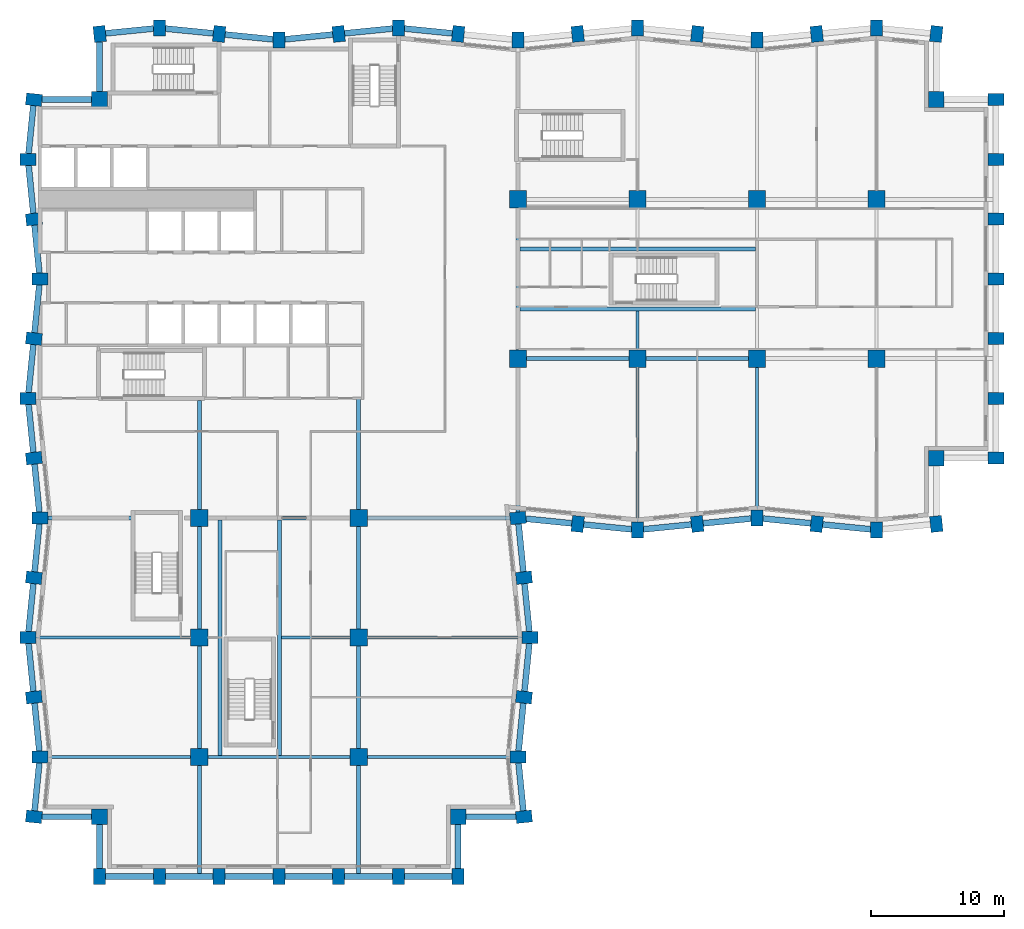
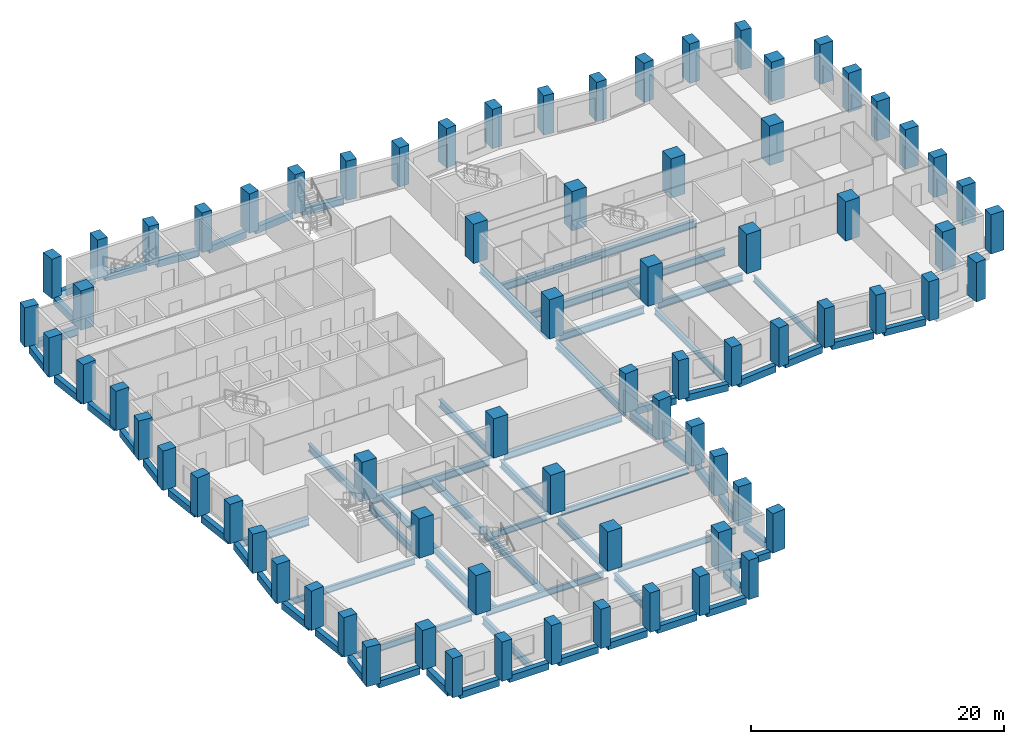
# One storey, part 1 of 11: 74 columns, 69 beams.
"""IFC4 building model written with IfcOpenShell, lengths in metres."""

from ifc_helpers import new_model, si_unit, direction, frame, origin, origin_2d, place, context, subcontext, project, spatial, rectangle, i_section, extrude, material, material_profile, profile_set, type_object, element, save


model = new_model("IFC4")

# Units and contexts
model_context = context("Model", 3, precision=1e-05, world=origin(), true_north=direction((0.0, 1.0)))
body_context = subcontext(model_context, "Body", "Model", "MODEL_VIEW")
ifc_project = project(units=[si_unit("LENGTHUNIT", "METRE"), si_unit("AREAUNIT", "SQUARE_METRE"), si_unit("VOLUMEUNIT", "CUBIC_METRE"), si_unit("PLANEANGLEUNIT", "RADIAN"), si_unit("MASSUNIT", "GRAM", prefix="KILO")], contexts=[model_context])

# Site, building, storey
site_placement = place(None, origin())
site = spatial("IfcSite", under=ifc_project, at=site_placement, CompositionType="ELEMENT")
building_placement = place(site_placement, origin())
building = spatial("IfcBuilding", under=site, at=building_placement, Name="Brondeck Convention Tower", CompositionType="ELEMENT")
storey_placement = place(building_placement, frame((0.0, 0.0, 92.300048828125)))
storey = spatial("IfcBuildingStorey", under=building, at=storey_placement, Name="L21", CompositionType="ELEMENT", Elevation=92.300048828125)

# Columns
ifc_material_1 = material(Name="Concrete C70/85", Category="concrete")
ifc_material_profile_1 = material_profile(ifc_material_1, rectangle(XDim=1.199951171875, YDim=1.199951171875, at=origin_2d()), Name="Corner column 1200x1200 Concrete C70/85")
ifc_profile_set_1 = profile_set([ifc_material_profile_1], Name="Concrete C70/85")
column_type_1 = type_object("IfcColumnType", Name="Corner column 1200x1200 Concrete C70/85", PredefinedType="COLUMN", material=ifc_profile_set_1)
for number, where, z_axis, x_axis, name in (
    (1, (4.5, 4.5, 0.0), (0.0, 0.0, 1.0), (1.0, 0.0, 0.0), "STR-COL-L21-NC-SWB0"),
    (2, (31.5, 4.5, 0.0), (0.0, 0.0, 1.0), (1.0, 0.0, 0.0), "STR-COL-L21-NC-SEB0"),
    (3, (67.5, 31.5, 0.0), (0.0, 0.0, 1.0), (1.0, 0.0, 0.0), "STR-COL-L21-NC-SEA72"),
    (4, (67.5, 58.5, 0.0), (0.0, 0.0, 1.0), (1.0, 0.0, 0.0), "STR-COL-L21-NC-NEA72"),
    (5, (4.5, 58.5, 0.0), (0.0, 0.0, 1.0), (1.0, 0.0, 0.0), "STR-COL-L21-NC-NW"),
):
    element("IfcColumn", number, at=place(storey_placement, frame(where, z_axis=z_axis, x_axis=x_axis)), inside=storey, type_object=column_type_1, Name=name, PredefinedType="COLUMN", context=body_context, shape_type="SweptSolid", body=[
        extrude(rectangle(XDim=1.199951171875, YDim=1.199951171875, at=origin_2d()), origin(), (0.0, 0.0, 1.0), 3.800048828125),
    ])
ifc_material_profile_2 = material_profile(ifc_material_1, rectangle(XDim=1.300048828125, YDim=1.300048828125, at=origin_2d()), Name="Interior column 1300x1300 Concrete C70/85")
ifc_profile_set_2 = profile_set([ifc_material_profile_2], Name="Concrete C70/85")
column_type_2 = type_object("IfcColumnType", Name="Interior column 1300x1300 Concrete C70/85", PredefinedType="COLUMN", material=ifc_profile_set_2)
for number, where, z_axis, x_axis, name in (
    (6, (12.0, 9.0, 0.0), (0.0, 0.0, 1.0), (1.0, 0.0, 0.0), "STR-COL-L21-IC-01"),
    (7, (12.0, 18.0, 0.0), (0.0, 0.0, 1.0), (1.0, 0.0, 0.0), "STR-COL-L21-IC-02"),
    (8, (12.0, 27.0, 0.0), (0.0, 0.0, 1.0), (1.0, 0.0, 0.0), "STR-COL-L21-IC-03"),
    (9, (24.0, 9.0, 0.0), (0.0, 0.0, 1.0), (1.0, 0.0, 0.0), "STR-COL-L21-IC-04"),
    (10, (24.0, 18.0, 0.0), (0.0, 0.0, 1.0), (1.0, 0.0, 0.0), "STR-COL-L21-IC-05"),
    (11, (24.0, 27.0, 0.0), (0.0, 0.0, 1.0), (1.0, 0.0, 0.0), "STR-COL-L21-IC-06"),
    (12, (36.0, 39.0, 0.0), (0.0, 0.0, 1.0), (1.0, 0.0, 0.0), "STR-COL-L21-IC-07"),
    (13, (36.0, 51.0, 0.0), (0.0, 0.0, 1.0), (1.0, 0.0, 0.0), "STR-COL-L21-IC-08"),
    (14, (45.0, 39.0, 0.0), (0.0, 0.0, 1.0), (1.0, 0.0, 0.0), "STR-COL-L21-IC-09"),
    (15, (45.0, 51.0, 0.0), (0.0, 0.0, 1.0), (1.0, 0.0, 0.0), "STR-COL-L21-IC-10"),
    (16, (54.0, 39.0, 0.0), (0.0, 0.0, 1.0), (1.0, 0.0, 0.0), "STR-COL-L21-IC-11"),
    (17, (54.0, 51.0, 0.0), (0.0, 0.0, 1.0), (1.0, 0.0, 0.0), "STR-COL-L21-IC-12"),
    (18, (63.0, 39.0, 0.0), (0.0, 0.0, 1.0), (1.0, 0.0, 0.0), "STR-COL-L21-IC-13"),
    (19, (63.0, 51.0, 0.0), (0.0, 0.0, 1.0), (1.0, 0.0, 0.0), "STR-COL-L21-IC-14"),
):
    element("IfcColumn", number, at=place(storey_placement, frame(where, z_axis=z_axis, x_axis=x_axis)), inside=storey, type_object=column_type_2, Name=name, PredefinedType="COLUMN", context=body_context, shape_type="SweptSolid", body=[
        extrude(rectangle(XDim=1.300048828125, YDim=1.300048828125, at=origin_2d()), origin(), (0.0, 0.0, 1.0), 3.800048828125),
    ])
ifc_material_profile_3 = material_profile(ifc_material_1, rectangle(XDim=0.89990234375, YDim=1.199951171875, at=origin_2d()), Name="Perimeter pier 900x1200 Concrete C70/85")
ifc_profile_set_3 = profile_set([ifc_material_profile_3], Name="Concrete C70/85")
column_type_3 = type_object("IfcColumnType", Name="Perimeter pier 900x1200 Concrete C70/85", PredefinedType="COLUMN", material=ifc_profile_set_3)
for number, where, z_axis, x_axis, name in (
    (20, (4.5, 0.0, 0.0), (0.0, 0.0, 1.0), (1.0, 0.0, 0.0), "STR-COL-L21-PC-B-S0-01"),
    (21, (9.0, 0.0, 0.0), (0.0, 0.0, 1.0), (1.0, 0.0, 0.0), "STR-COL-L21-PC-B-S0-02"),
    (22, (13.5, 0.0, 0.0), (0.0, 0.0, 1.0), (1.0, 0.0, 0.0), "STR-COL-L21-PC-B-S0-03"),
    (23, (18.0, 0.0, 0.0), (0.0, 0.0, 1.0), (1.0, 0.0, 0.0), "STR-COL-L21-PC-B-S0-04"),
    (24, (22.5, 0.0, 0.0), (0.0, 0.0, 1.0), (1.0, 0.0, 0.0), "STR-COL-L21-PC-B-S0-05"),
    (25, (27.0, 0.0, 0.0), (0.0, 0.0, 1.0), (1.0, 0.0, 0.0), "STR-COL-L21-PC-B-S0-06"),
    (26, (31.5, 0.0, 0.0), (0.0, 0.0, 1.0), (1.0, 0.0, 0.0), "STR-COL-L21-PC-B-S0-07"),
    (27, (36.449951171875, 4.5, 0.0), (0.0, 0.0, 1.0), (-0.0995038382, 0.995037178292, 0.0), "STR-COL-L21-PC-B-E-05"),
    (28, (36.0, 9.0, 0.0), (0.0, 0.0, 1.0), (0.0, 1.0, 0.0), "STR-COL-L21-PC-B-E-04"),
    (29, (36.449951171875, 13.5, 0.0), (0.0, 0.0, 1.0), (0.0995038382, 0.995037178292, 0.0), "STR-COL-L21-PC-B-E-03"),
    (30, (36.89990234375, 18.0, 0.0), (0.0, 0.0, 1.0), (0.0, 1.0, 0.0), "STR-COL-L21-PC-B-E-02"),
    (31, (36.449951171875, 22.5, 0.0), (0.0, 0.0, 1.0), (-0.0995038382, 0.995037178292, 0.0), "STR-COL-L21-PC-B-E-01"),
    (32, (36.0, 27.0, 0.0), (0.0, 0.0, 1.0), (-0.0995038382, 0.995037178292, 0.0), "STR-COL-L21-PC-B-E-00"),
    (33, (40.5, 26.550048828125, 0.0), (0.0, 0.0, 1.0), (0.995037178292, -0.0995038382, 0.0), "STR-COL-L21-PC-A-S-01"),
    (34, (45.0, 26.10009765625, 0.0), (0.0, 0.0, 1.0), (1.0, 0.0, 0.0), "STR-COL-L21-PC-A-S-02"),
    (35, (49.5, 26.550048828125, 0.0), (0.0, 0.0, 1.0), (0.995037178292, 0.0995038382, 0.0), "STR-COL-L21-PC-A-S-03"),
    (36, (54.0, 27.0, 0.0), (0.0, 0.0, 1.0), (1.0, 0.0, 0.0), "STR-COL-L21-PC-A-S-04"),
    (37, (58.5, 26.550048828125, 0.0), (0.0, 0.0, 1.0), (0.995037178292, -0.0995038382, 0.0), "STR-COL-L21-PC-A-S-05"),
    (38, (63.0, 26.10009765625, 0.0), (0.0, 0.0, 1.0), (1.0, 0.0, 0.0), "STR-COL-L21-PC-A-S-06"),
    (39, (67.5, 26.550048828125, 0.0), (0.0, 0.0, 1.0), (0.995037178292, 0.0995038382, 0.0), "STR-COL-L21-PC-A-S-07"),
    (40, (72.0, 31.5, 0.0), (0.0, 0.0, 1.0), (0.0, 1.0, 0.0), "STR-COL-L21-PC-A-E72-01"),
    (41, (72.0, 36.0, 0.0), (0.0, 0.0, 1.0), (0.0, 1.0, 0.0), "STR-COL-L21-PC-A-E72-02"),
    (42, (72.0, 40.5, 0.0), (0.0, 0.0, 1.0), (0.0, 1.0, 0.0), "STR-COL-L21-PC-A-E72-03"),
    (43, (72.0, 45.0, 0.0), (0.0, 0.0, 1.0), (0.0, 1.0, 0.0), "STR-COL-L21-PC-A-E72-04"),
    (44, (72.0, 49.5, 0.0), (0.0, 0.0, 1.0), (0.0, 1.0, 0.0), "STR-COL-L21-PC-A-E72-05"),
    (45, (72.0, 54.0, 0.0), (0.0, 0.0, 1.0), (0.0, 1.0, 0.0), "STR-COL-L21-PC-A-E72-06"),
    (46, (72.0, 58.5, 0.0), (0.0, 0.0, 1.0), (0.0, 1.0, 0.0), "STR-COL-L21-PC-A-E72-07"),
    (47, (67.5, 63.449951171875, 0.0), (0.0, 0.0, 1.0), (-0.995037178292, 0.0995038382, 0.0), "STR-COL-L21-PC-A-N-15"),
    (48, (63.0, 63.89990234375, 0.0), (0.0, 0.0, 1.0), (-1.0, 0.0, 0.0), "STR-COL-L21-PC-A-N-14"),
    (49, (58.5, 63.449951171875, 0.0), (0.0, 0.0, 1.0), (-0.995037178292, -0.0995038382, 0.0), "STR-COL-L21-PC-A-N-13"),
    (50, (54.0, 63.0, 0.0), (0.0, 0.0, 1.0), (-1.0, 0.0, 0.0), "STR-COL-L21-PC-A-N-12"),
    (51, (49.5, 63.449951171875, 0.0), (0.0, 0.0, 1.0), (-0.995037178292, 0.0995038382, 0.0), "STR-COL-L21-PC-A-N-11"),
    (52, (45.0, 63.89990234375, 0.0), (0.0, 0.0, 1.0), (-1.0, 0.0, 0.0), "STR-COL-L21-PC-A-N-10"),
    (53, (40.5, 63.449951171875, 0.0), (0.0, 0.0, 1.0), (-0.995037178292, -0.0995038382, 0.0), "STR-COL-L21-PC-A-N-09"),
    (54, (36.0, 63.0, 0.0), (0.0, 0.0, 1.0), (-1.0, 0.0, 0.0), "STR-COL-L21-PC-A-N-08"),
    (55, (31.5, 63.449951171875, 0.0), (0.0, 0.0, 1.0), (-0.995037178292, 0.0995038382, 0.0), "STR-COL-L21-PC-A-N-07"),
    (56, (27.0, 63.89990234375, 0.0), (0.0, 0.0, 1.0), (-1.0, 0.0, 0.0), "STR-COL-L21-PC-A-N-06"),
    (57, (22.5, 63.449951171875, 0.0), (0.0, 0.0, 1.0), (-0.995037178292, -0.0995038382, 0.0), "STR-COL-L21-PC-A-N-05"),
    (58, (18.0, 63.0, 0.0), (0.0, 0.0, 1.0), (-1.0, 0.0, 0.0), "STR-COL-L21-PC-A-N-04"),
    (59, (13.5, 63.449951171875, 0.0), (0.0, 0.0, 1.0), (-0.995037178292, 0.0995038382, 0.0), "STR-COL-L21-PC-A-N-03"),
    (60, (9.0, 63.89990234375, 0.0), (0.0, 0.0, 1.0), (-1.0, 0.0, 0.0), "STR-COL-L21-PC-A-N-02"),
    (61, (4.5, 63.449951171875, 0.0), (0.0, 0.0, 1.0), (-0.995037178292, -0.0995038382, 0.0), "STR-COL-L21-PC-A-N-01"),
    (62, (-0.449951171875, 58.5, 0.0), (0.0, 0.0, 1.0), (-0.0995038382, -0.995037178292, 0.0), "STR-COL-L21-PC-B-W-01"),
    (63, (-0.89990234375, 54.0, 0.0), (0.0, 0.0, 1.0), (0.0, -1.0, 0.0), "STR-COL-L21-PC-B-W-02"),
    (64, (-0.449951171875, 49.5, 0.0), (0.0, 0.0, 1.0), (0.0995038382, -0.995037178292, 0.0), "STR-COL-L21-PC-B-W-03"),
    (65, (0.0, 45.0, 0.0), (0.0, 0.0, 1.0), (0.0, -1.0, 0.0), "STR-COL-L21-PC-B-W-04"),
    (66, (-0.449951171875, 40.5, 0.0), (0.0, 0.0, 1.0), (-0.0995038382, -0.995037178292, 0.0), "STR-COL-L21-PC-B-W-05"),
    (67, (-0.89990234375, 36.0, 0.0), (0.0, 0.0, 1.0), (0.0, -1.0, 0.0), "STR-COL-L21-PC-B-W-06"),
    (68, (-0.449951171875, 31.5, 0.0), (0.0, 0.0, 1.0), (0.0995038382, -0.995037178292, 0.0), "STR-COL-L21-PC-B-W-07"),
    (69, (0.0, 27.0, 0.0), (0.0, 0.0, 1.0), (0.0, -1.0, 0.0), "STR-COL-L21-PC-B-W-08"),
    (70, (-0.449951171875, 22.5, 0.0), (0.0, 0.0, 1.0), (-0.0995038382, -0.995037178292, 0.0), "STR-COL-L21-PC-B-W-09"),
    (71, (-0.89990234375, 18.0, 0.0), (0.0, 0.0, 1.0), (0.0, -1.0, 0.0), "STR-COL-L21-PC-B-W-10"),
    (72, (-0.449951171875, 13.5, 0.0), (0.0, 0.0, 1.0), (0.0995038382, -0.995037178292, 0.0), "STR-COL-L21-PC-B-W-11"),
    (73, (0.0, 9.0, 0.0), (0.0, 0.0, 1.0), (0.0, -1.0, 0.0), "STR-COL-L21-PC-B-W-12"),
    (74, (-0.449951171875, 4.5, 0.0), (0.0, 0.0, 1.0), (-0.0995038382, -0.995037178292, 0.0), "STR-COL-L21-PC-B-W-13"),
):
    element("IfcColumn", number, at=place(storey_placement, frame(where, z_axis=z_axis, x_axis=x_axis)), inside=storey, type_object=column_type_3, Name=name, PredefinedType="COLUMN", context=body_context, shape_type="SweptSolid", body=[
        extrude(rectangle(XDim=0.89990234375, YDim=1.199951171875, at=origin_2d()), origin(), (0.0, 0.0, 1.0), 3.800048828125),
    ])

# Beams
ifc_material_2 = material(Name="Steel S355", Category="steel")
ifc_material_profile_4 = material_profile(ifc_material_2, i_section(OverallWidth=0.219970703125, OverallDepth=0.60009765625, WebThickness=0.011962890625, FlangeThickness=0.01904296875, FilletRadius=0.02392578125, at=origin_2d()), Name="IPE 600")
ifc_profile_set_4 = profile_set([ifc_material_profile_4], Name="Steel S355")
beam_type_1 = type_object("IfcBeamType", Name="Floor beam IPE 600", PredefinedType="BEAM", material=ifc_profile_set_4)
beam_1_placement = place(storey_placement, frame((45.0, 26.699951171875, -0.60009765625), z_axis=(0.0, 1.0, 0.0), x_axis=(-1.0, 0.0, 0.0)))
element("IfcBeam", 75, at=beam_1_placement, inside=storey, type_object=beam_type_1, Name="STR-FB-L21-001", PredefinedType="BEAM", context=body_context, shape_type="SweptSolid", body=[
    extrude(i_section(OverallWidth=0.219970703125, OverallDepth=0.60009765625, WebThickness=0.011962890625, FlangeThickness=0.01904296875, FilletRadius=0.02392578125, at=origin_2d()), origin(), (0.0, 0.0, 1.0), 11.650146484375),
])
for number, where, z_axis, x_axis, name in (
    (76, (54.0, 27.60009765625, -0.60009765625), (0.0, 1.0, 0.0), (-1.0, 0.0, 0.0), "STR-FB-L21-003"),
    (77, (0.60009765625, 9.0, -0.60009765625), (1.0, 0.0, 0.0), (0.0, 1.0, 0.0), "STR-FB-L21-009"),
):
    element("IfcBeam", number, at=place(storey_placement, frame(where, z_axis=z_axis, x_axis=x_axis)), inside=storey, type_object=beam_type_1, Name=name, PredefinedType="BEAM", context=body_context, shape_type="SweptSolid", body=[
        extrude(i_section(OverallWidth=0.219970703125, OverallDepth=0.60009765625, WebThickness=0.011962890625, FlangeThickness=0.01904296875, FilletRadius=0.02392578125, at=origin_2d()), origin(), (0.0, 0.0, 1.0), 10.75),
    ])
beam_2_placement = place(storey_placement, frame((12.64990234375, 9.0, -0.60009765625), z_axis=(1.0, 0.0, 0.0), x_axis=(0.0, 1.0, 0.0)))
element("IfcBeam", 78, at=beam_2_placement, inside=storey, type_object=beam_type_1, Name="STR-FB-L21-010", PredefinedType="BEAM", context=body_context, shape_type="SweptSolid", body=[
    extrude(i_section(OverallWidth=0.219970703125, OverallDepth=0.60009765625, WebThickness=0.011962890625, FlangeThickness=0.01904296875, FilletRadius=0.02392578125, at=origin_2d()), origin(), (0.0, 0.0, 1.0), 10.7001953125),
])
beam_3_placement = place(storey_placement, frame((24.64990234375, 9.0, -0.60009765625), z_axis=(1.0, 0.0, 0.0), x_axis=(0.0, 1.0, 0.0)))
element("IfcBeam", 79, at=beam_3_placement, inside=storey, type_object=beam_type_1, Name="STR-FB-L21-011", PredefinedType="BEAM", context=body_context, shape_type="SweptSolid", body=[
    extrude(i_section(OverallWidth=0.219970703125, OverallDepth=0.60009765625, WebThickness=0.011962890625, FlangeThickness=0.01904296875, FilletRadius=0.02392578125, at=origin_2d()), origin(), (0.0, 0.0, 1.0), 10.75),
])
for number, where, z_axis, x_axis, name in (
    (80, (-0.300048828125, 18.0, -0.60009765625), (1.0, 0.0, 0.0), (0.0, 1.0, 0.0), "STR-FB-L21-012"),
    (81, (24.64990234375, 18.0, -0.60009765625), (1.0, 0.0, 0.0), (0.0, 1.0, 0.0), "STR-FB-L21-013"),
):
    element("IfcBeam", number, at=place(storey_placement, frame(where, z_axis=z_axis, x_axis=x_axis)), inside=storey, type_object=beam_type_1, Name=name, PredefinedType="BEAM", context=body_context, shape_type="SweptSolid", body=[
        extrude(i_section(OverallWidth=0.219970703125, OverallDepth=0.60009765625, WebThickness=0.011962890625, FlangeThickness=0.01904296875, FilletRadius=0.02392578125, at=origin_2d()), origin(), (0.0, 0.0, 1.0), 11.650146484375),
    ])
beam_4_placement = place(storey_placement, frame((45.0, 39.64990234375, -0.60009765625), z_axis=(0.0, 1.0, 0.0), x_axis=(-1.0, 0.0, 0.0)))
element("IfcBeam", 82, at=beam_4_placement, inside=storey, type_object=beam_type_1, Name="STR-FB-L21-014", PredefinedType="BEAM", context=body_context, shape_type="SweptSolid", body=[
    extrude(i_section(OverallWidth=0.219970703125, OverallDepth=0.60009765625, WebThickness=0.011962890625, FlangeThickness=0.01904296875, FilletRadius=0.02392578125, at=origin_2d()), origin(), (0.0, 0.0, 1.0), 2.9501953125),
])
beam_5_placement = place(storey_placement, frame((18.199951171875, 18.0, -0.60009765625), z_axis=(1.0, 0.0, 0.0), x_axis=(0.0, 1.0, 0.0)))
element("IfcBeam", 83, at=beam_5_placement, inside=storey, type_object=beam_type_1, Name="STR-FB-L21-016", PredefinedType="BEAM", context=body_context, shape_type="SweptSolid", body=[
    extrude(i_section(OverallWidth=0.219970703125, OverallDepth=0.60009765625, WebThickness=0.011962890625, FlangeThickness=0.01904296875, FilletRadius=0.02392578125, at=origin_2d()), origin(), (0.0, 0.0, 1.0), 5.150146484375),
])
ifc_material_profile_5 = material_profile(ifc_material_2, i_section(OverallWidth=0.300048828125, OverallDepth=0.699951171875, WebThickness=0.01708984375, FlangeThickness=0.031982421875, FilletRadius=0.027099609375, at=origin_2d()), Name="HEB 700")
ifc_profile_set_5 = profile_set([ifc_material_profile_5], Name="Steel S355")
beam_type_2 = type_object("IfcBeamType", Name="Girder HEB 700", PredefinedType="BEAM", material=ifc_profile_set_5)
for number, where, z_axis, x_axis, name in (
    (84, (36.64990234375, 39.0, -0.650146484375), (1.0, 0.0, 0.0), (0.0, 1.0, 0.0), "STR-GR-L21-001"),
    (85, (45.64990234375, 39.0, -0.650146484375), (1.0, 0.0, 0.0), (0.0, 1.0, 0.0), "STR-GR-L21-002"),
):
    element("IfcBeam", number, at=place(storey_placement, frame(where, z_axis=z_axis, x_axis=x_axis)), inside=storey, type_object=beam_type_2, Name=name, PredefinedType="BEAM", context=body_context, shape_type="SweptSolid", body=[
        extrude(i_section(OverallWidth=0.300048828125, OverallDepth=0.699951171875, WebThickness=0.01708984375, FlangeThickness=0.031982421875, FilletRadius=0.027099609375, at=origin_2d()), origin(), (0.0, 0.0, 1.0), 7.7001953125),
    ])
beam_6_placement = place(storey_placement, frame((36.0, 27.4521484375, -0.650146484375), z_axis=(0.0, 1.0, 0.0), x_axis=(-1.0, 0.0, 0.0)))
element("IfcBeam", 86, at=beam_6_placement, inside=storey, type_object=beam_type_2, Name="STR-GR-L21-009", PredefinedType="BEAM", context=body_context, shape_type="SweptSolid", body=[
    extrude(i_section(OverallWidth=0.300048828125, OverallDepth=0.699951171875, WebThickness=0.01708984375, FlangeThickness=0.031982421875, FilletRadius=0.027099609375, at=origin_2d()), origin(), (0.0, 0.0, 1.0), 10.89794921875),
])
beam_7_placement = place(storey_placement, frame((36.0, 39.64990234375, -0.650146484375), z_axis=(0.0, 1.0, 0.0), x_axis=(-1.0, 0.0, 0.0)))
element("IfcBeam", 87, at=beam_7_placement, inside=storey, type_object=beam_type_2, Name="STR-GR-L21-010", PredefinedType="BEAM", context=body_context, shape_type="SweptSolid", body=[
    extrude(i_section(OverallWidth=0.300048828125, OverallDepth=0.699951171875, WebThickness=0.01708984375, FlangeThickness=0.031982421875, FilletRadius=0.027099609375, at=origin_2d()), origin(), (0.0, 0.0, 1.0), 10.7001953125),
])
beam_8_placement = place(storey_placement, frame((12.0, 35.85009765625, -0.650146484375), z_axis=(0.0, -1.0, 0.0), x_axis=(1.0, 0.0, 0.0)))
element("IfcBeam", 88, at=beam_8_placement, inside=storey, type_object=beam_type_2, Name="STR-GR-L21-013", PredefinedType="BEAM", context=body_context, shape_type="SweptSolid", body=[
    extrude(i_section(OverallWidth=0.300048828125, OverallDepth=0.699951171875, WebThickness=0.01708984375, FlangeThickness=0.031982421875, FilletRadius=0.027099609375, at=origin_2d()), origin(), (0.0, 0.0, 1.0), 8.2001953125),
])
for number, where, z_axis, x_axis, name in (
    (89, (12.0, 26.35009765625, -0.650146484375), (0.0, -1.0, 0.0), (1.0, 0.0, 0.0), "STR-GR-L21-014"),
    (90, (12.0, 17.35009765625, -0.650146484375), (0.0, -1.0, 0.0), (1.0, 0.0, 0.0), "STR-GR-L21-015"),
):
    element("IfcBeam", number, at=place(storey_placement, frame(where, z_axis=z_axis, x_axis=x_axis)), inside=storey, type_object=beam_type_2, Name=name, PredefinedType="BEAM", context=body_context, shape_type="SweptSolid", body=[
        extrude(i_section(OverallWidth=0.300048828125, OverallDepth=0.699951171875, WebThickness=0.01708984375, FlangeThickness=0.031982421875, FilletRadius=0.027099609375, at=origin_2d()), origin(), (0.0, 0.0, 1.0), 7.7001953125),
    ])
beam_9_placement = place(storey_placement, frame((12.0, 8.35009765625, -0.650146484375), z_axis=(0.0, -1.0, 0.0), x_axis=(1.0, 0.0, 0.0)))
element("IfcBeam", 91, at=beam_9_placement, inside=storey, type_object=beam_type_2, Name="STR-GR-L21-016", PredefinedType="BEAM", context=body_context, shape_type="SweptSolid", body=[
    extrude(i_section(OverallWidth=0.300048828125, OverallDepth=0.699951171875, WebThickness=0.01708984375, FlangeThickness=0.031982421875, FilletRadius=0.027099609375, at=origin_2d()), origin(), (0.0, 0.0, 1.0), 8.125),
])
beam_10_placement = place(storey_placement, frame((24.0, 35.955078125, -0.650146484375), z_axis=(0.0, -1.0, 0.0), x_axis=(1.0, 0.0, 0.0)))
element("IfcBeam", 92, at=beam_10_placement, inside=storey, type_object=beam_type_2, Name="STR-GR-L21-017", PredefinedType="BEAM", context=body_context, shape_type="SweptSolid", body=[
    extrude(i_section(OverallWidth=0.300048828125, OverallDepth=0.699951171875, WebThickness=0.01708984375, FlangeThickness=0.031982421875, FilletRadius=0.027099609375, at=origin_2d()), origin(), (0.0, 0.0, 1.0), 8.30517578125),
])
for number, where, z_axis, x_axis, name in (
    (93, (24.0, 26.35009765625, -0.650146484375), (0.0, -1.0, 0.0), (1.0, 0.0, 0.0), "STR-GR-L21-018"),
    (94, (24.0, 17.35009765625, -0.650146484375), (0.0, -1.0, 0.0), (1.0, 0.0, 0.0), "STR-GR-L21-019"),
):
    element("IfcBeam", number, at=place(storey_placement, frame(where, z_axis=z_axis, x_axis=x_axis)), inside=storey, type_object=beam_type_2, Name=name, PredefinedType="BEAM", context=body_context, shape_type="SweptSolid", body=[
        extrude(i_section(OverallWidth=0.300048828125, OverallDepth=0.699951171875, WebThickness=0.01708984375, FlangeThickness=0.031982421875, FilletRadius=0.027099609375, at=origin_2d()), origin(), (0.0, 0.0, 1.0), 7.7001953125),
    ])
beam_11_placement = place(storey_placement, frame((24.0, 8.35009765625, -0.650146484375), z_axis=(0.0, -1.0, 0.0), x_axis=(1.0, 0.0, 0.0)))
element("IfcBeam", 95, at=beam_11_placement, inside=storey, type_object=beam_type_2, Name="STR-GR-L21-020", PredefinedType="BEAM", context=body_context, shape_type="SweptSolid", body=[
    extrude(i_section(OverallWidth=0.300048828125, OverallDepth=0.699951171875, WebThickness=0.01708984375, FlangeThickness=0.031982421875, FilletRadius=0.027099609375, at=origin_2d()), origin(), (0.0, 0.0, 1.0), 8.125),
])
beam_12_placement = place(storey_placement, frame((0.60009765625, 27.0, -0.650146484375), z_axis=(1.0, 0.0, 0.0), x_axis=(0.0, 1.0, 0.0)))
element("IfcBeam", 96, at=beam_12_placement, inside=storey, type_object=beam_type_2, Name="STR-GR-L21-021", PredefinedType="BEAM", context=body_context, shape_type="SweptSolid", body=[
    extrude(i_section(OverallWidth=0.300048828125, OverallDepth=0.699951171875, WebThickness=0.01708984375, FlangeThickness=0.031982421875, FilletRadius=0.027099609375, at=origin_2d()), origin(), (0.0, 0.0, 1.0), 6.27978515625),
])
beam_13_placement = place(storey_placement, frame((12.64990234375, 27.0, -0.650146484375), z_axis=(1.0, 0.0, 0.0), x_axis=(0.0, 1.0, 0.0)))
element("IfcBeam", 97, at=beam_13_placement, inside=storey, type_object=beam_type_2, Name="STR-GR-L21-022", PredefinedType="BEAM", context=body_context, shape_type="SweptSolid", body=[
    extrude(i_section(OverallWidth=0.300048828125, OverallDepth=0.699951171875, WebThickness=0.01708984375, FlangeThickness=0.031982421875, FilletRadius=0.027099609375, at=origin_2d()), origin(), (0.0, 0.0, 1.0), 10.7001953125),
])
beam_14_placement = place(storey_placement, frame((24.64990234375, 27.0, -0.650146484375), z_axis=(1.0, 0.0, 0.0), x_axis=(0.0, 1.0, 0.0)))
element("IfcBeam", 98, at=beam_14_placement, inside=storey, type_object=beam_type_2, Name="STR-GR-L21-023", PredefinedType="BEAM", context=body_context, shape_type="SweptSolid", body=[
    extrude(i_section(OverallWidth=0.300048828125, OverallDepth=0.699951171875, WebThickness=0.01708984375, FlangeThickness=0.031982421875, FilletRadius=0.027099609375, at=origin_2d()), origin(), (0.0, 0.0, 1.0), 10.7470703125),
])
for number, where, z_axis, x_axis, name in (
    (99, (36.14990234375, 42.75, -0.650146484375), (1.0, 0.0, 0.0), (0.0, 1.0, 0.0), "STR-GR-L21-024"),
    (100, (36.14990234375, 47.25, -0.650146484375), (1.0, 0.0, 0.0), (0.0, 1.0, 0.0), "STR-GR-L21-025"),
    (101, (13.550048828125, 9.110107421875, -0.650146484375), (0.0, 1.0, 0.0), (-1.0, 0.0, 0.0), "STR-GR-L21-026"),
    (102, (18.050048828125, 9.110107421875, -0.650146484375), (0.0, 1.0, 0.0), (-1.0, 0.0, 0.0), "STR-GR-L21-027"),
):
    element("IfcBeam", number, at=place(storey_placement, frame(where, z_axis=z_axis, x_axis=x_axis)), inside=storey, type_object=beam_type_2, Name=name, PredefinedType="BEAM", context=body_context, shape_type="SweptSolid", body=[
        extrude(i_section(OverallWidth=0.300048828125, OverallDepth=0.699951171875, WebThickness=0.01708984375, FlangeThickness=0.031982421875, FilletRadius=0.027099609375, at=origin_2d()), origin(), (0.0, 0.0, 1.0), 17.739990234375),
    ])
ifc_material_profile_6 = material_profile(ifc_material_1, rectangle(XDim=0.449951171875, YDim=0.64990234375, at=origin_2d()), Name="Precast spandrel 450x650 Concrete C70/85")
ifc_profile_set_6 = profile_set([ifc_material_profile_6], Name="Concrete C70/85")
beam_type_3 = type_object("IfcBeamType", Name="Precast spandrel 450x650 Concrete C70/85", PredefinedType="SPANDREL", material=ifc_profile_set_6)
for number, where, z_axis, x_axis, name in (
    (103, (4.949951171875, 0.0, -0.324951171875), (1.0, 0.0, 0.0), (0.0, 1.0, 0.0), "STR-SP-L21-001"),
    (104, (9.449951171875, 0.0, -0.324951171875), (1.0, 0.0, 0.0), (0.0, 1.0, 0.0), "STR-SP-L21-002"),
    (105, (13.949951171875, 0.0, -0.324951171875), (1.0, 0.0, 0.0), (0.0, 1.0, 0.0), "STR-SP-L21-003"),
    (106, (18.449951171875, 0.0, -0.324951171875), (1.0, 0.0, 0.0), (0.0, 1.0, 0.0), "STR-SP-L21-004"),
    (107, (22.949951171875, 0.0, -0.324951171875), (1.0, 0.0, 0.0), (0.0, 1.0, 0.0), "STR-SP-L21-005"),
    (108, (27.449951171875, 0.0, -0.324951171875), (1.0, 0.0, 0.0), (0.0, 1.0, 0.0), "STR-SP-L21-006"),
):
    element("IfcBeam", number, at=place(storey_placement, frame(where, z_axis=z_axis, x_axis=x_axis)), inside=storey, type_object=beam_type_3, Name=name, PredefinedType="SPANDREL", context=body_context, shape_type="SweptSolid", body=[
        extrude(rectangle(XDim=0.449951171875, YDim=0.64990234375, at=origin_2d()), origin(), (0.0, 0.0, 1.0), 3.60009765625),
    ])
beam_15_placement = place(storey_placement, frame((31.5, 0.60009765625, -0.324951171875), z_axis=(0.0, 1.0, 0.0), x_axis=(-1.0, 0.0, 0.0)))
element("IfcBeam", 109, at=beam_15_placement, inside=storey, type_object=beam_type_3, Name="STR-SP-L21-007", PredefinedType="SPANDREL", context=body_context, shape_type="SweptSolid", body=[
    extrude(rectangle(XDim=0.449951171875, YDim=0.64990234375, at=origin_2d()), origin(), (0.0, 0.0, 1.0), 3.2998046875),
])
beam_16_placement = place(storey_placement, frame((32.10009765625, 4.5, -0.324951171875), z_axis=(1.0, 0.0, 0.0), x_axis=(0.0, 1.0, 0.0)))
element("IfcBeam", 110, at=beam_16_placement, inside=storey, type_object=beam_type_3, Name="STR-SP-L21-008", PredefinedType="SPANDREL", context=body_context, shape_type="SweptSolid", body=[
    extrude(rectangle(XDim=0.449951171875, YDim=0.64990234375, at=origin_2d()), origin(), (0.0, 0.0, 1.0), 3.746826171875),
])
for number, where, z_axis, x_axis, name in (
    (111, (36.4052734375, 4.94775390625, -0.324951171875), (-0.099537103649, 0.995033851182, 0.0), (-0.995033851182, -0.099537103649, 0.0), "STR-SP-L21-009"),
    (112, (36.044921875, 9.449951171875, -0.324951171875), (0.099537103649, 0.995033851182, 0.0), (-0.995033851182, 0.099537103649, 0.0), "STR-SP-L21-010"),
    (113, (36.494873046875, 13.94775390625, -0.324951171875), (0.099470334057, 0.995040528141, 0.0), (-0.995040528141, 0.099470334057, 0.0), "STR-SP-L21-011"),
    (114, (36.85498046875, 18.449951171875, -0.324951171875), (-0.099470334057, 0.995040528141, 0.0), (-0.995040528141, -0.099470334057, 0.0), "STR-SP-L21-012"),
):
    element("IfcBeam", number, at=place(storey_placement, frame(where, z_axis=z_axis, x_axis=x_axis)), inside=storey, type_object=beam_type_3, Name=name, PredefinedType="SPANDREL", context=body_context, shape_type="SweptSolid", body=[
        extrude(rectangle(XDim=0.449951171875, YDim=0.64990234375, at=origin_2d()), origin(), (0.0, 0.0, 1.0), 3.620361328125),
    ])
beam_17_placement = place(storey_placement, frame((36.4052734375, 22.94775390625, -0.324951171875), z_axis=(-0.099543756114, 0.995033185687, 0.0), x_axis=(-0.995033185687, -0.099543756114, 0.0)))
element("IfcBeam", 115, at=beam_17_placement, inside=storey, type_object=beam_type_3, Name="STR-SP-L21-013", PredefinedType="SPANDREL", context=body_context, shape_type="SweptSolid", body=[
    extrude(rectangle(XDim=0.449951171875, YDim=0.64990234375, at=origin_2d()), origin(), (0.0, 0.0, 1.0), 3.62255859375),
])
beam_18_placement = place(storey_placement, frame((36.609130859375, 26.939208984375, -0.324951171875), z_axis=(0.995032299082, -0.099552618167, 0.0), x_axis=(0.099552618167, 0.995032299082, 0.0)))
element("IfcBeam", 116, at=beam_18_placement, inside=storey, type_object=beam_type_3, Name="STR-SP-L21-014", PredefinedType="SPANDREL", context=body_context, shape_type="SweptSolid", body=[
    extrude(rectangle(XDim=0.449951171875, YDim=0.64990234375, at=origin_2d()), origin(), (0.0, 0.0, 1.0), 3.460205078125),
])
for number, where, z_axis, x_axis, name in (
    (117, (40.94775390625, 26.505126953125, -0.324951171875), (0.995040528141, -0.099470334057, 0.0), (0.099470334057, 0.995040528141, 0.0), "STR-SP-L21-015"),
    (118, (45.449951171875, 26.14501953125, -0.324951171875), (0.995040528141, 0.099470334057, 0.0), (-0.099470334057, 0.995040528141, 0.0), "STR-SP-L21-016"),
    (119, (49.94775390625, 26.5947265625, -0.324951171875), (0.995033851182, 0.099537103649, 0.0), (-0.099537103649, 0.995033851182, 0.0), "STR-SP-L21-017"),
    (120, (54.449951171875, 26.955078125, -0.324951171875), (0.995033851182, -0.099537103649, 0.0), (0.099537103649, 0.995033851182, 0.0), "STR-SP-L21-018"),
    (121, (58.94775390625, 26.505126953125, -0.324951171875), (0.995040528141, -0.099470334057, 0.0), (0.099470334057, 0.995040528141, 0.0), "STR-SP-L21-019"),
    (122, (31.05224609375, 63.494873046875, -0.324951171875), (-0.995040528141, 0.099470334057, 0.0), (-0.099470334057, -0.995040528141, 0.0), "STR-SP-L21-039"),
    (123, (26.550048828125, 63.85498046875, -0.324951171875), (-0.995040528141, -0.099470334057, 0.0), (0.099470334057, -0.995040528141, 0.0), "STR-SP-L21-040"),
    (124, (22.05224609375, 63.4052734375, -0.324951171875), (-0.995033851182, -0.099537103649, 0.0), (0.099537103649, -0.995033851182, 0.0), "STR-SP-L21-041"),
    (125, (17.550048828125, 63.044921875, -0.324951171875), (-0.995033851182, 0.099537103649, 0.0), (-0.099537103649, -0.995033851182, 0.0), "STR-SP-L21-042"),
    (126, (13.05224609375, 63.494873046875, -0.324951171875), (-0.995040528141, 0.099470334057, 0.0), (-0.099470334057, -0.995040528141, 0.0), "STR-SP-L21-043"),
    (127, (8.550048828125, 63.85498046875, -0.324951171875), (-0.995040528141, -0.099470334057, 0.0), (0.099470334057, -0.995040528141, 0.0), "STR-SP-L21-044"),
):
    element("IfcBeam", number, at=place(storey_placement, frame(where, z_axis=z_axis, x_axis=x_axis)), inside=storey, type_object=beam_type_3, Name=name, PredefinedType="SPANDREL", context=body_context, shape_type="SweptSolid", body=[
        extrude(rectangle(XDim=0.449951171875, YDim=0.64990234375, at=origin_2d()), origin(), (0.0, 0.0, 1.0), 3.620361328125),
    ])
for number, where, z_axis, x_axis, name in (
    (128, (4.5, 62.846923828125, -0.324951171875), (0.0, -1.0, 0.0), (1.0, 0.0, 0.0), "STR-SP-L21-045"),
    (129, (3.89990234375, 58.5, -0.324951171875), (-1.0, 0.0, 0.0), (0.0, -1.0, 0.0), "STR-SP-L21-046"),
):
    element("IfcBeam", number, at=place(storey_placement, frame(where, z_axis=z_axis, x_axis=x_axis)), inside=storey, type_object=beam_type_3, Name=name, PredefinedType="SPANDREL", context=body_context, shape_type="SweptSolid", body=[
        extrude(rectangle(XDim=0.449951171875, YDim=0.64990234375, at=origin_2d()), origin(), (0.0, 0.0, 1.0), 3.746826171875),
    ])
for number, where, z_axis, x_axis, name in (
    (130, (-0.494873046875, 58.05224609375, -0.324951171875), (-0.099470334057, -0.995040528141, 0.0), (0.995040528141, -0.099470334057, 0.0), "STR-SP-L21-047"),
    (131, (-0.85498046875, 53.550048828125, -0.324951171875), (0.099470334057, -0.995040528141, 0.0), (0.995040528141, 0.099470334057, 0.0), "STR-SP-L21-048"),
    (132, (-0.4052734375, 49.05224609375, -0.324951171875), (0.099537103649, -0.995033851182, 0.0), (0.995033851182, 0.099537103649, 0.0), "STR-SP-L21-049"),
    (133, (-0.044921875, 44.550048828125, -0.324951171875), (-0.099537103649, -0.995033851182, 0.0), (0.995033851182, -0.099537103649, 0.0), "STR-SP-L21-050"),
    (134, (-0.494873046875, 40.05224609375, -0.324951171875), (-0.099470334057, -0.995040528141, 0.0), (0.995040528141, -0.099470334057, 0.0), "STR-SP-L21-051"),
    (135, (-0.85498046875, 35.550048828125, -0.324951171875), (0.099470334057, -0.995040528141, 0.0), (0.995040528141, 0.099470334057, 0.0), "STR-SP-L21-052"),
    (136, (-0.4052734375, 31.05224609375, -0.324951171875), (0.099537103649, -0.995033851182, 0.0), (0.995033851182, 0.099537103649, 0.0), "STR-SP-L21-053"),
    (137, (-0.044921875, 26.550048828125, -0.324951171875), (-0.099537103649, -0.995033851182, 0.0), (0.995033851182, -0.099537103649, 0.0), "STR-SP-L21-054"),
    (138, (-0.494873046875, 22.05224609375, -0.324951171875), (-0.099470334057, -0.995040528141, 0.0), (0.995040528141, -0.099470334057, 0.0), "STR-SP-L21-055"),
    (139, (-0.85498046875, 17.550048828125, -0.324951171875), (0.099470334057, -0.995040528141, 0.0), (0.995040528141, 0.099470334057, 0.0), "STR-SP-L21-056"),
    (140, (-0.4052734375, 13.05224609375, -0.324951171875), (0.099537103649, -0.995033851182, 0.0), (0.995033851182, 0.099537103649, 0.0), "STR-SP-L21-057"),
    (141, (-0.044921875, 8.550048828125, -0.324951171875), (-0.099537103649, -0.995033851182, 0.0), (0.995033851182, -0.099537103649, 0.0), "STR-SP-L21-058"),
):
    element("IfcBeam", number, at=place(storey_placement, frame(where, z_axis=z_axis, x_axis=x_axis)), inside=storey, type_object=beam_type_3, Name=name, PredefinedType="SPANDREL", context=body_context, shape_type="SweptSolid", body=[
        extrude(rectangle(XDim=0.449951171875, YDim=0.64990234375, at=origin_2d()), origin(), (0.0, 0.0, 1.0), 3.620361328125),
    ])
beam_19_placement = place(storey_placement, frame((0.153076171875, 4.5, -0.324951171875), z_axis=(1.0, 0.0, 0.0), x_axis=(0.0, 1.0, 0.0)))
element("IfcBeam", 142, at=beam_19_placement, inside=storey, type_object=beam_type_3, Name="STR-SP-L21-059", PredefinedType="SPANDREL", context=body_context, shape_type="SweptSolid", body=[
    extrude(rectangle(XDim=0.449951171875, YDim=0.64990234375, at=origin_2d()), origin(), (0.0, 0.0, 1.0), 3.746826171875),
])
beam_20_placement = place(storey_placement, frame((4.5, 3.89990234375, -0.324951171875), z_axis=(0.0, -1.0, 0.0), x_axis=(1.0, 0.0, 0.0)))
element("IfcBeam", 143, at=beam_20_placement, inside=storey, type_object=beam_type_3, Name="STR-SP-L21-060", PredefinedType="SPANDREL", context=body_context, shape_type="SweptSolid", body=[
    extrude(rectangle(XDim=0.449951171875, YDim=0.64990234375, at=origin_2d()), origin(), (0.0, 0.0, 1.0), 3.2998046875),
])

save(model, "model.ifc")
